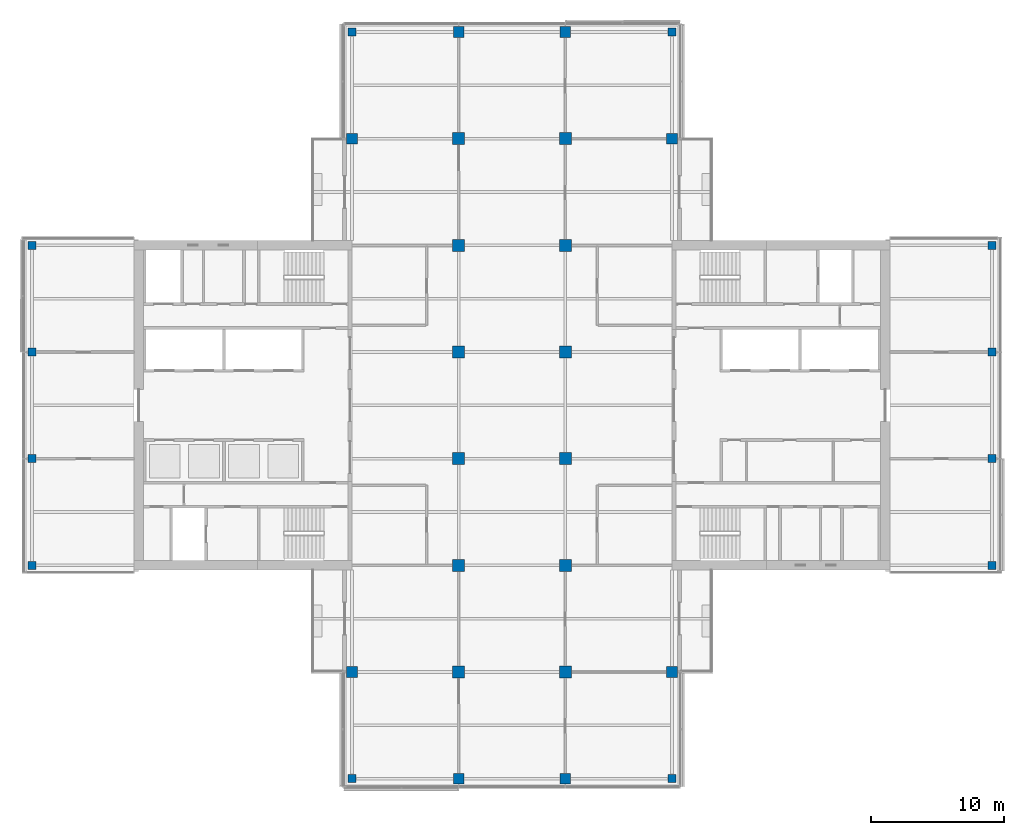
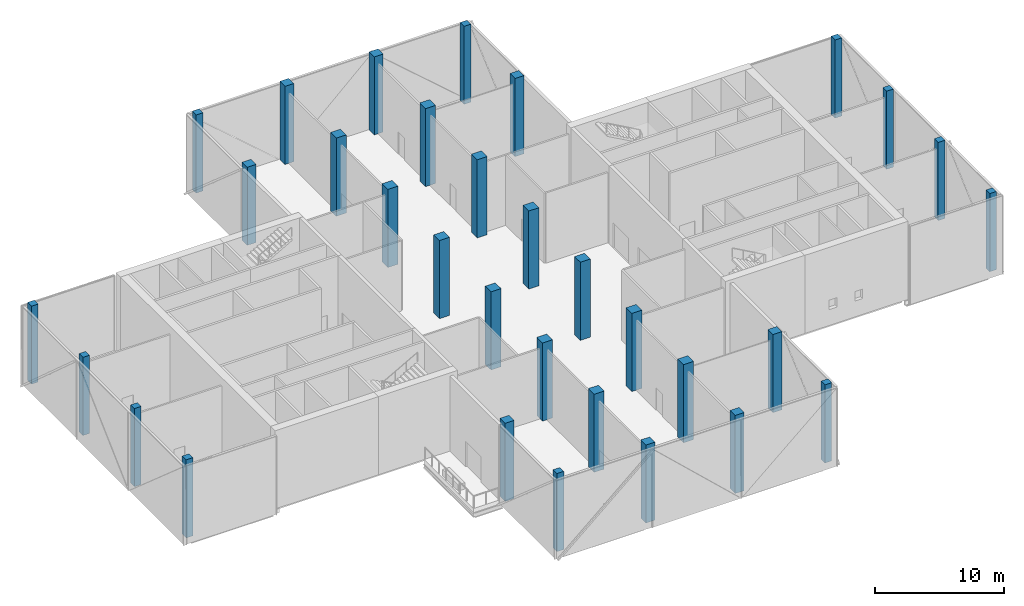
# One storey, part 1 of 20: 32 columns.
"""IFC4 building model written with IfcOpenShell, lengths in metres."""

from ifc_helpers import new_model, si_unit, direction, frame, origin, origin_2d, place, context, subcontext, project, spatial, rectangle, extrude, material, material_profile, profile_set, type_object, element, save


model = new_model("IFC4")

# Units and contexts
model_context = context("Model", 3, precision=1e-05, world=origin(), true_north=direction((0.0, 1.0)))
body_context = subcontext(model_context, "Body", "Model", "MODEL_VIEW")
ifc_project = project(units=[si_unit("LENGTHUNIT", "METRE"), si_unit("AREAUNIT", "SQUARE_METRE"), si_unit("VOLUMEUNIT", "CUBIC_METRE"), si_unit("PLANEANGLEUNIT", "RADIAN"), si_unit("MASSUNIT", "GRAM", prefix="KILO")], contexts=[model_context])

# Site, building, storey
site_placement = place(None, origin())
site = spatial("IfcSite", under=ifc_project, at=site_placement, CompositionType="ELEMENT")
building_placement = place(site_placement, origin())
building = spatial("IfcBuilding", under=site, at=building_placement, Name="Crosswind Convention Tower", CompositionType="ELEMENT")
storey_placement = place(building_placement, frame((0.0, 0.0, 171.5)))
storey = spatial("IfcBuildingStorey", under=building, at=storey_placement, Name="L36", CompositionType="ELEMENT", Elevation=171.5)

# Columns
ifc_material = material(Name="Concrete C60/75", Category="concrete")
ifc_material_profile_1 = material_profile(ifc_material, rectangle(XDim=0.60009765625, YDim=0.60009765625, at=origin_2d()), Name="RC 600X600")
ifc_profile_set_1 = profile_set([ifc_material_profile_1], Name="Concrete C60/75")
column_type_1 = type_object("IfcColumnType", Name="Column RC 600X600", PredefinedType="COLUMN", material=ifc_profile_set_1)
for number, where, z_axis, x_axis, name in (
    (1, (89.0, 88.0, 0.0), (0.0, 0.0, 1.0), (1.0, 0.0, 0.0), "C16 L36 2/E"),
    (2, (89.0, 96.0, 0.0), (0.0, 0.0, 1.0), (1.0, 0.0, 0.0), "C16 L36 2/F"),
    (3, (89.0, 104.0, 0.0), (0.0, 0.0, 1.0), (1.0, 0.0, 0.0), "C16 L36 2/G"),
    (4, (89.0, 112.0, 0.0), (0.0, 0.0, 1.0), (1.0, 0.0, 0.0), "C16 L36 2/H"),
    (5, (113.0, 72.0, 0.0), (0.0, 0.0, 1.0), (1.0, 0.0, 0.0), "C16 L36 5/C"),
    (6, (113.0, 128.0, 0.0), (0.0, 0.0, 1.0), (1.0, 0.0, 0.0), "C16 L36 5/J"),
    (7, (137.0, 72.0, 0.0), (0.0, 0.0, 1.0), (1.0, 0.0, 0.0), "C16 L36 8/C"),
    (8, (137.0, 128.0, 0.0), (0.0, 0.0, 1.0), (1.0, 0.0, 0.0), "C16 L36 8/J"),
    (9, (161.0, 88.0, 0.0), (0.0, 0.0, 1.0), (1.0, 0.0, 0.0), "C16 L36 11/E"),
    (10, (161.0, 96.0, 0.0), (0.0, 0.0, 1.0), (1.0, 0.0, 0.0), "C16 L36 11/F"),
    (11, (161.0, 104.0, 0.0), (0.0, 0.0, 1.0), (1.0, 0.0, 0.0), "C16 L36 11/G"),
    (12, (161.0, 112.0, 0.0), (0.0, 0.0, 1.0), (1.0, 0.0, 0.0), "C16 L36 11/H"),
):
    element("IfcColumn", number, at=place(storey_placement, frame(where, z_axis=z_axis, x_axis=x_axis)), inside=storey, type_object=column_type_1, Name=name, PredefinedType="COLUMN", context=body_context, shape_type="SweptSolid", body=[
        extrude(rectangle(XDim=0.60009765625, YDim=0.60009765625, at=origin_2d()), origin(), (0.0, 0.0, 1.0), 7.39990234375),
    ])
ifc_material_profile_2 = material_profile(ifc_material, rectangle(XDim=0.800048828125, YDim=0.800048828125, at=origin_2d()), Name="RC 800X800")
ifc_profile_set_2 = profile_set([ifc_material_profile_2], Name="Concrete C60/75")
column_type_2 = type_object("IfcColumnType", Name="Column RC 800X800", PredefinedType="COLUMN", material=ifc_profile_set_2)
for number, where, z_axis, x_axis, name in (
    (13, (113.0, 80.0, 0.0), (0.0, 0.0, 1.0), (1.0, 0.0, 0.0), "C14 L36 5/D"),
    (14, (113.0, 120.0, 0.0), (0.0, 0.0, 1.0), (1.0, 0.0, 0.0), "C14 L36 5/I"),
    (15, (121.0, 72.0, 0.0), (0.0, 0.0, 1.0), (1.0, 0.0, 0.0), "C14 L36 6/C"),
    (16, (121.0, 128.0, 0.0), (0.0, 0.0, 1.0), (1.0, 0.0, 0.0), "C14 L36 6/J"),
    (17, (129.0, 72.0, 0.0), (0.0, 0.0, 1.0), (1.0, 0.0, 0.0), "C14 L36 7/C"),
    (18, (129.0, 128.0, 0.0), (0.0, 0.0, 1.0), (1.0, 0.0, 0.0), "C14 L36 7/J"),
    (19, (137.0, 80.0, 0.0), (0.0, 0.0, 1.0), (1.0, 0.0, 0.0), "C14 L36 8/D"),
    (20, (137.0, 120.0, 0.0), (0.0, 0.0, 1.0), (1.0, 0.0, 0.0), "C14 L36 8/I"),
):
    element("IfcColumn", number, at=place(storey_placement, frame(where, z_axis=z_axis, x_axis=x_axis)), inside=storey, type_object=column_type_2, Name=name, PredefinedType="COLUMN", context=body_context, shape_type="SweptSolid", body=[
        extrude(rectangle(XDim=0.800048828125, YDim=0.800048828125, at=origin_2d()), origin(), (0.0, 0.0, 1.0), 7.39990234375),
    ])
ifc_material_profile_3 = material_profile(ifc_material, rectangle(XDim=0.89990234375, YDim=0.89990234375, at=origin_2d()), Name="RC 900X900")
ifc_profile_set_3 = profile_set([ifc_material_profile_3], Name="Concrete C60/75")
column_type_3 = type_object("IfcColumnType", Name="Column RC 900X900", PredefinedType="COLUMN", material=ifc_profile_set_3)
for number, where, z_axis, x_axis, name in (
    (21, (121.0, 80.0, 0.0), (0.0, 0.0, 1.0), (1.0, 0.0, 0.0), "C13 L36 6/D"),
    (22, (121.0, 88.0, 0.0), (0.0, 0.0, 1.0), (1.0, 0.0, 0.0), "C13 L36 6/E"),
    (23, (121.0, 96.0, 0.0), (0.0, 0.0, 1.0), (1.0, 0.0, 0.0), "C13 L36 6/F"),
    (24, (121.0, 104.0, 0.0), (0.0, 0.0, 1.0), (1.0, 0.0, 0.0), "C13 L36 6/G"),
    (25, (121.0, 112.0, 0.0), (0.0, 0.0, 1.0), (1.0, 0.0, 0.0), "C13 L36 6/H"),
    (26, (121.0, 120.0, 0.0), (0.0, 0.0, 1.0), (1.0, 0.0, 0.0), "C13 L36 6/I"),
    (27, (129.0, 80.0, 0.0), (0.0, 0.0, 1.0), (1.0, 0.0, 0.0), "C13 L36 7/D"),
    (28, (129.0, 88.0, 0.0), (0.0, 0.0, 1.0), (1.0, 0.0, 0.0), "C13 L36 7/E"),
    (29, (129.0, 96.0, 0.0), (0.0, 0.0, 1.0), (1.0, 0.0, 0.0), "C13 L36 7/F"),
    (30, (129.0, 104.0, 0.0), (0.0, 0.0, 1.0), (1.0, 0.0, 0.0), "C13 L36 7/G"),
    (31, (129.0, 112.0, 0.0), (0.0, 0.0, 1.0), (1.0, 0.0, 0.0), "C13 L36 7/H"),
    (32, (129.0, 120.0, 0.0), (0.0, 0.0, 1.0), (1.0, 0.0, 0.0), "C13 L36 7/I"),
):
    element("IfcColumn", number, at=place(storey_placement, frame(where, z_axis=z_axis, x_axis=x_axis)), inside=storey, type_object=column_type_3, Name=name, PredefinedType="COLUMN", context=body_context, shape_type="SweptSolid", body=[
        extrude(rectangle(XDim=0.89990234375, YDim=0.89990234375, at=origin_2d()), origin(), (0.0, 0.0, 1.0), 7.39990234375),
    ])

save(model, "model.ifc")
